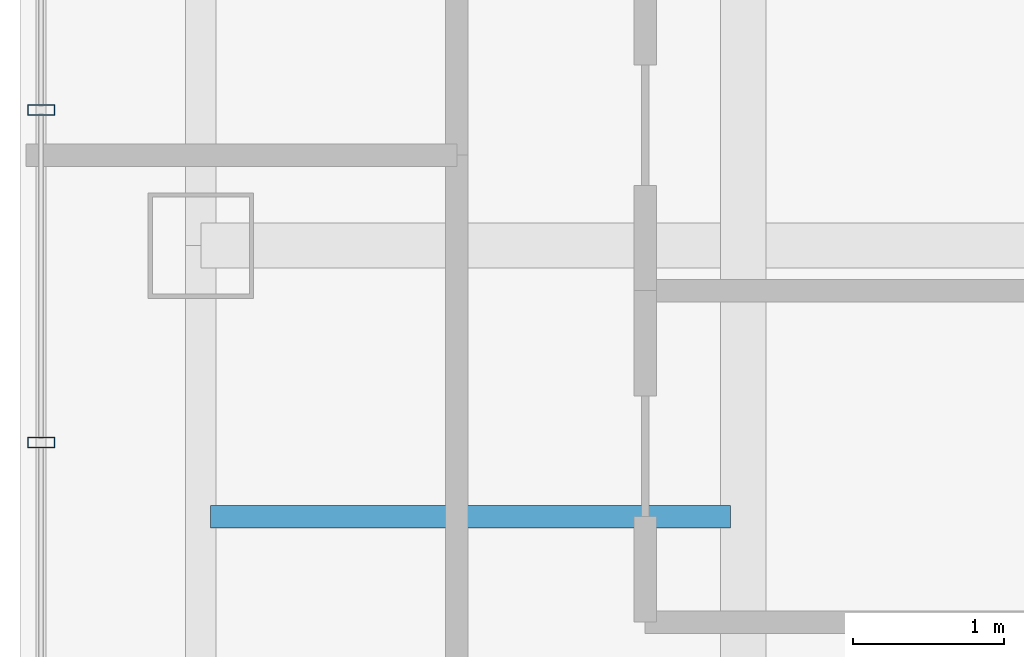
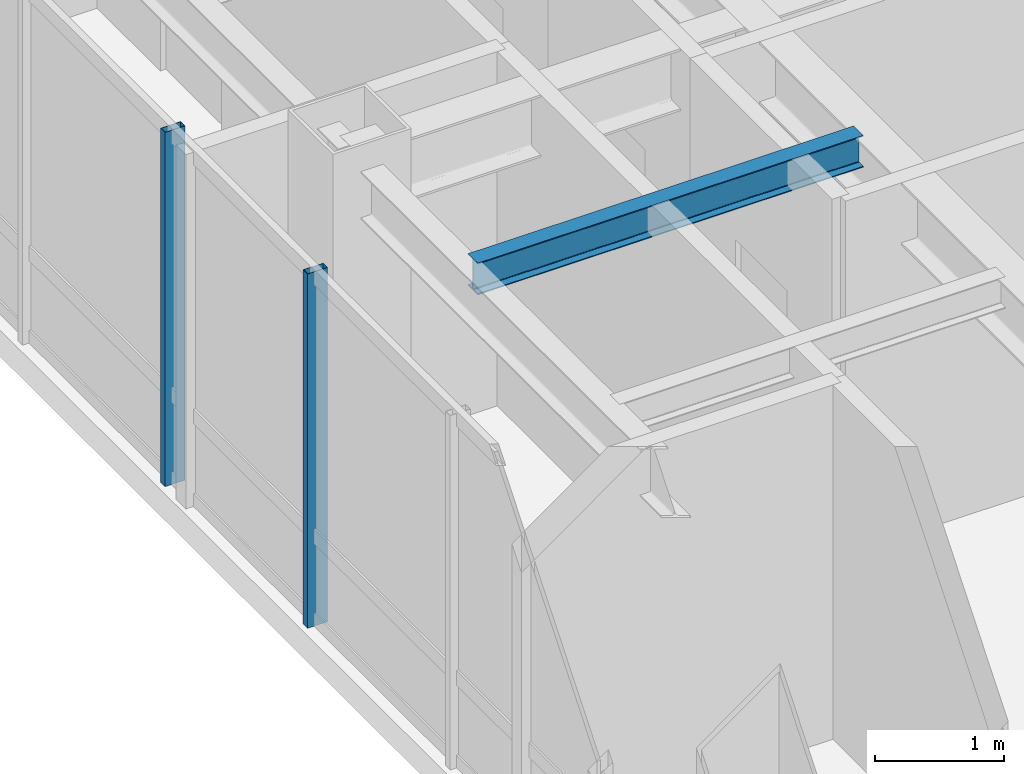
# One storey, part 6 of 26: 2 members, 1 beam, 1 element without a shape of its own.
"""IFC4 building model written with IfcOpenShell, lengths in metres."""

from ifc_helpers import new_model, si_unit, direction, frame, origin, origin_2d, place, context, subcontext, project, spatial, hollow_rectangle, i_section, extrude, material, layer, layer_set, material_profile, profile_set, type_object, element, aggregate, save


model = new_model("IFC4")

# Units and contexts
model_context = context("Model", 3, precision=1e-05, world=origin(), true_north=direction((0.0, 1.0)))
body_context = subcontext(model_context, "Body", "Model", "MODEL_VIEW")
ifc_project = project(units=[si_unit("LENGTHUNIT", "METRE"), si_unit("AREAUNIT", "SQUARE_METRE"), si_unit("VOLUMEUNIT", "CUBIC_METRE"), si_unit("PLANEANGLEUNIT", "RADIAN"), si_unit("MASSUNIT", "GRAM", prefix="KILO")], contexts=[model_context])

# Site, building, storey
site_placement = place(None, origin())
site = spatial("IfcSite", under=ifc_project, at=site_placement, CompositionType="ELEMENT")
building_placement = place(site_placement, origin())
building = spatial("IfcBuilding", under=site, at=building_placement, Name="Hatsunagi Terrace Concourse", CompositionType="ELEMENT")
storey_placement = place(building_placement, frame((0.0, 0.0, 195.14990234375)))
storey = spatial("IfcBuildingStorey", under=building, at=storey_placement, Name="L51", CompositionType="ELEMENT", Elevation=195.14990234375)

# Curtain wall, members
ifc_material_1 = material(Name="Anodised Aluminium Alloy 6063-T5", Category="aluminium")
ifc_layer = layer(ifc_material_1, 0.199951171875)
ifc_layer_set = layer_set([ifc_layer], Name="OfficeZone2_CW04")
curtain_wall_type = type_object("IfcCurtainWallType", Name="OfficeZone2_CW04", PredefinedType="NOTDEFINED", material=ifc_layer_set)
curtain_wall_placement = place(storey_placement, origin())
curtain_wall = element("IfcCurtainWall", 1, at=curtain_wall_placement, inside=storey, type_object=curtain_wall_type, Name="Unitised Curtain Wall CW-04 CW-L51-08", PredefinedType="NOTDEFINED")
ifc_material_2 = material(Name="Anodised Aluminium Alloy 6063-T5", Category="aluminium")
ifc_material_profile_1 = material_profile(ifc_material_2, hollow_rectangle(XDim=0.070068359375, YDim=0.179931640625, WallThickness=0.00390625, at=origin_2d()), Name="ALU-MUL-180x70x4")
ifc_profile_set_1 = profile_set([ifc_material_profile_1], Name="Anodised Aluminium Alloy 6063-T5")
member_type = type_object("IfcMemberType", Name="CurtainWallMullion_180x70", PredefinedType="MULLION", material=ifc_profile_set_1)
member_1_placement = place(storey_placement, frame((18.139892578125, 34.69189453125, 0.0), z_axis=(0.0, 0.0, 1.0), x_axis=(0.0, 1.0, 0.0)))
member_1 = element("IfcMember", 2, at=member_1_placement, type_object=member_type, Name="Curtain Wall Mullion MUL-02", PredefinedType="MULLION", context=body_context, shape_type="SweptSolid", body=[
    extrude(hollow_rectangle(XDim=0.070068359375, YDim=0.179931640625, WallThickness=0.00390625, at=origin_2d()), origin(), (0.0, 0.0, 1.0), 3.35009765625),
])
member_2_placement = place(storey_placement, frame((18.139892578125, 36.89990234375, 0.0), z_axis=(0.0, 0.0, 1.0), x_axis=(0.0, 1.0, 0.0)))
member_2 = element("IfcMember", 3, at=member_2_placement, type_object=member_type, Name="Curtain Wall Mullion MUL-02", PredefinedType="MULLION", context=body_context, shape_type="SweptSolid", body=[
    extrude(hollow_rectangle(XDim=0.070068359375, YDim=0.179931640625, WallThickness=0.00390625, at=origin_2d()), origin(), (0.0, 0.0, 1.0), 3.35009765625),
])
aggregate(curtain_wall, [member_1, member_2])

# Beam
ifc_material_3 = material(Name="Steel SN490B", Category="steel")
ifc_material_profile_2 = material_profile(ifc_material_3, i_section(OverallWidth=0.14990234375, OverallDepth=0.300048828125, WebThickness=0.006591796875, FlangeThickness=0.009033203125, FilletRadius=0.010986328125, at=origin_2d()), Name="H-300x150x6.5x9")
ifc_profile_set_2 = profile_set([ifc_material_profile_2], Name="Steel SN490B")
beam_type = type_object("IfcBeamType", Name="OfficeJoist_H_300x150", PredefinedType="JOIST", material=ifc_profile_set_2)
beam_placement = place(storey_placement, frame((19.264892578125, 34.199951171875, 3.2001953125), z_axis=(1.0, 0.0, 0.0), x_axis=(0.0, 1.0, 0.0)))
element("IfcBeam", 4, at=beam_placement, inside=storey, type_object=beam_type, Name="Beam J-03 J-L51-W-19-342", PredefinedType="JOIST", context=body_context, shape_type="SweptSolid", body=[
    extrude(i_section(OverallWidth=0.14990234375, OverallDepth=0.300048828125, WebThickness=0.006591796875, FlangeThickness=0.009033203125, FilletRadius=0.010986328125, at=origin_2d()), origin(), (0.0, 0.0, 1.0), 3.4501953125),
])

save(model, "model.ifc")
